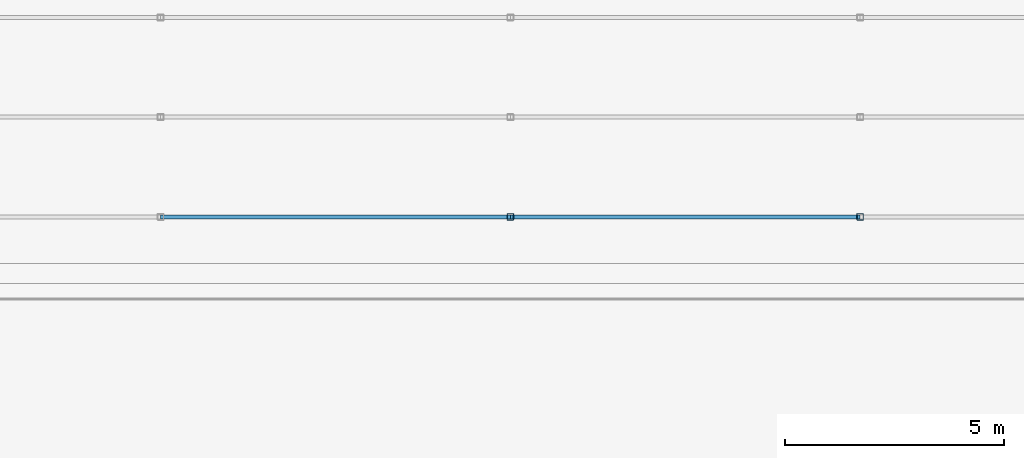
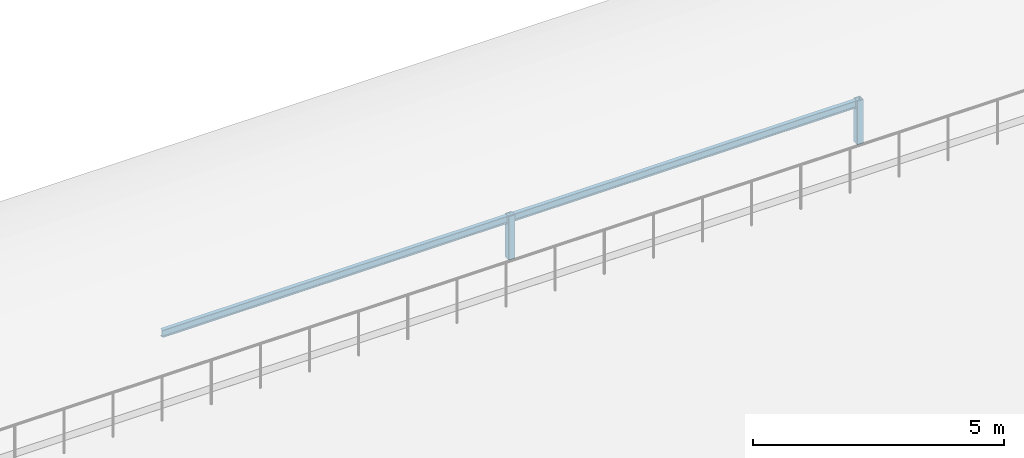
# One storey, part 12 of 46: 4 members.
"""IFC4 building model written with IfcOpenShell, lengths in metres."""

import ifcopenshell
import ifcopenshell.guid

model = None  # the IFC model being written
_history = None  # IfcOwnerHistory: only IFC2X3 demands one
_inside = {}  # id of a spatial element -> (the spatial element, [elements in it])
_under = {}  # id of a project, library or spatial element -> (it, [spatial elements below it])
_declared = {}  # id of a project -> (the project, [libraries it declares])
_typed = {}  # id of a type object -> (the type object, [elements of that type])
_made_of = {}  # id of a material, layer set ... -> (it, [elements and type objects made of it])


def new_model(schema):
    """Start an empty IFC model of exactly this schema.

    Asked for "IFC4X3", IfcOpenShell would pick the latest addendum, in which some entities
    have other attributes; the version numbers below select the first issue.
    IFC2X3 requires an IfcOwnerHistory on every rooted entity: one is made here for all.
    """
    global model, _history
    if schema == "IFC4X3":
        model = ifcopenshell.file(schema_version=(4, 3, 0, 0))
    else:
        model = ifcopenshell.file(schema=schema)
    _inside.clear()
    _under.clear()
    _declared.clear()
    _typed.clear()
    _made_of.clear()
    _history = None
    if model.schema == "IFC2X3":
        org = make("IfcOrganization", Name="unknown")
        user = make(
            "IfcPersonAndOrganization",
            ThePerson=make("IfcPerson", FamilyName="unknown"),
            TheOrganization=org,
        )
        app = make(
            "IfcApplication",
            ApplicationDeveloper=org,
            Version="unknown",
            ApplicationFullName="unknown",
            ApplicationIdentifier="unknown",
        )
        _history = make(
            "IfcOwnerHistory",
            OwningUser=user,
            OwningApplication=app,
            ChangeAction="ADDED",
            CreationDate=0,
        )
    return model


def make(cls, **values):
    """One entity of the class cls with the attributes given. An attribute that is None is left unset."""
    return model.create_entity(
        cls, **{name: value for name, value in values.items() if value is not None}
    )


def rooted(cls, **values):
    """An entity with a GlobalId (a new one), such as an element, a storey or a relation."""
    return make(cls, GlobalId=ifcopenshell.guid.new(), OwnerHistory=_history, **values)


def si_unit(unit_type, name, prefix=None):
    """IfcSIUnit, for example si_unit("LENGTHUNIT", "METRE", prefix="MILLI")."""
    return make("IfcSIUnit", UnitType=unit_type, Prefix=prefix, Name=name)


def assignment(units):
    """IfcUnitAssignment: the units of a project."""
    return None if units is None else make("IfcUnitAssignment", Units=units)


def point(xyz):
    """IfcCartesianPoint."""
    return None if xyz is None else make("IfcCartesianPoint", Coordinates=xyz)


def direction(xyz):
    """IfcDirection."""
    return None if xyz is None else make("IfcDirection", DirectionRatios=xyz)


def frame(location, z_axis=None, x_axis=None):
    """IfcAxis2Placement3D, a coordinate frame: its origin and axes. An axis left out is left unset."""
    return make(
        "IfcAxis2Placement3D",
        Location=point(location),
        Axis=direction(z_axis),
        RefDirection=direction(x_axis),
    )


def frame_2d(location, x_axis=None):
    """IfcAxis2Placement2D, a coordinate frame in the plane: its origin and x axis."""
    return make(
        "IfcAxis2Placement2D", Location=point(location), RefDirection=direction(x_axis)
    )


def origin():
    """The frame at (0, 0, 0) with its axes left unset."""
    return frame((0.0, 0.0, 0.0))


def origin_2d():
    """The frame at (0, 0) in the plane with its x axis left unset."""
    return frame_2d((0.0, 0.0))


def place(relative_to, where):
    """IfcLocalPlacement: puts the frame where relative to a parent placement (None: the world)."""
    return make(
        "IfcLocalPlacement", PlacementRelTo=relative_to, RelativePlacement=where
    )


def context(
    kind, dimensions, precision=None, world=None, true_north=None, identifier=None
):
    """IfcGeometricRepresentationContext, for example the 3D "Model" context."""
    return make(
        "IfcGeometricRepresentationContext",
        ContextIdentifier=identifier,
        ContextType=kind,
        CoordinateSpaceDimension=dimensions,
        Precision=precision,
        WorldCoordinateSystem=world,
        TrueNorth=true_north,
    )


def subcontext(parent, identifier, kind, view, scale=None):
    """IfcGeometricRepresentationSubContext, for example "Body" below "Model"."""
    return make(
        "IfcGeometricRepresentationSubContext",
        ContextIdentifier=identifier,
        ContextType=kind,
        ParentContext=parent,
        TargetScale=scale,
        TargetView=view,
    )


def project(units=None, contexts=None):
    """IfcProject with its units and contexts."""
    return rooted(
        "IfcProject",
        Name="project",
        RepresentationContexts=contexts,
        UnitsInContext=assignment(units),
    )


def spatial(cls, under=None, at=None, **own):
    """A site, building, storey or space (cls), placed at a placement, below another one or the project."""
    s = rooted(cls, ObjectPlacement=at, **own)
    if under is not None:
        _under.setdefault(under.id(), (under, []))[1].append(s)
    return s


def profile(cls, at=None, kind="AREA", **sizes):
    """A parametric profile (cls). Its sizes go by their IFC names, for example OverallWidth=200.0."""
    return make(cls, ProfileType=kind, Position=at, **sizes)


def hollow_rectangle(**sizes):
    """IfcRectangleHollowProfileDef."""
    return profile("IfcRectangleHollowProfileDef", **sizes)


def i_section(**sizes):
    """IfcIShapeProfileDef."""
    return profile("IfcIShapeProfileDef", **sizes)


def extrude(swept, where, along, depth):
    """IfcExtrudedAreaSolid: the profile swept, set in the frame where, extruded along a direction by depth."""
    return make(
        "IfcExtrudedAreaSolid",
        SweptArea=swept,
        Position=where,
        ExtrudedDirection=direction(along),
        Depth=depth,
    )


def shape(context_of_items, identifier, shape_type, items):
    """IfcShapeRepresentation: the items that make up one representation, for example the "Body"."""
    return make(
        "IfcShapeRepresentation",
        ContextOfItems=context_of_items,
        RepresentationIdentifier=identifier,
        RepresentationType=shape_type,
        Items=items,
    )


def material(Name=None, Category=None):
    """IfcMaterial."""
    return make("IfcMaterial", Name=Name, Category=Category)


def material_profile(
    of_material, cross_section, Name=None, Category=None, Priority=None
):
    """IfcMaterialProfile: a cross section and its material."""
    return make(
        "IfcMaterialProfile",
        Name=Name,
        Material=of_material,
        Profile=cross_section,
        Priority=Priority,
        Category=Category,
    )


def profile_set(profiles, Name=None, composite=None):
    """IfcMaterialProfileSet."""
    return make(
        "IfcMaterialProfileSet",
        Name=Name,
        MaterialProfiles=profiles,
        CompositeProfile=composite,
    )


def made_of(thing, what):
    """Note that an element or type object is made of a material, layer set ...; save() writes the relation."""
    if what is not None:
        _made_of.setdefault(what.id(), (what, []))[1].append(thing)
    return thing


def type_object(cls, material=None, **own):
    """A type object (cls), such as IfcWallType, which elements share."""
    return made_of(rooted(cls, **own), material)


def element(
    cls,
    number,
    at=None,
    inside=None,
    cuts=None,
    type_object=None,
    material=None,
    context=None,
    identifier="Body",
    shape_type=None,
    held_by="IfcProductDefinitionShape",
    body=None,
    shapes=None,
    **own,
):
    """One element of the class cls, such as IfcWall. Its Tag is "e" and its number.

    at: its placement. inside: the storey or other place that contains it. cuts: it is an
    opening in that element (IfcRelVoidsElement). A single representation is given by context,
    identifier, shape_type and body (its items); several are given by shapes. held_by: the class
    of the entity that holds the representations. save() writes the other relations.
    """
    e = rooted(cls, Tag="e%d" % number, ObjectPlacement=at, **own)
    if body is not None:
        shapes = [shape(context, identifier, shape_type, body)]
    if shapes is not None:
        e.Representation = make(held_by, Representations=shapes)
    if inside is not None:
        _inside.setdefault(inside.id(), (inside, []))[1].append(e)
    if cuts is not None:
        rooted(
            "IfcRelVoidsElement", RelatingBuildingElement=cuts, RelatedOpeningElement=e
        )
    if type_object is not None:
        _typed.setdefault(type_object.id(), (type_object, []))[1].append(e)
    return made_of(e, material)


def aggregate(whole, parts):
    """IfcRelAggregates: a whole, such as a stair, and the parts it consists of."""
    return rooted("IfcRelAggregates", RelatingObject=whole, RelatedObjects=parts)


def save(model, path):
    """Write the relations noted so far, then the file.

    IfcRelAggregates (storeys below a building ...), IfcRelContainedInSpatialStructure (elements
    in a storey), IfcRelDefinesByType, IfcRelAssociatesMaterial and IfcRelDeclares: one each for
    every whole, place, type object, material and project.
    """
    for whole, parts in _under.values():
        aggregate(whole, parts)
    for where, things in _inside.values():
        rooted(
            "IfcRelContainedInSpatialStructure",
            RelatedElements=things,
            RelatingStructure=where,
        )
    for kind, things in _typed.values():
        rooted("IfcRelDefinesByType", RelatedObjects=things, RelatingType=kind)
    for what, things in _made_of.values():
        rooted("IfcRelAssociatesMaterial", RelatedObjects=things, RelatingMaterial=what)
    for by, libraries in _declared.values():
        rooted("IfcRelDeclares", RelatingContext=by, RelatedDefinitions=libraries)
    model.write(path)


model = new_model("IFC4")

# Units and contexts
model_context = context("Model", 3, precision=1e-05, world=origin(), true_north=direction((0.0, 1.0)))
body_context = subcontext(model_context, "Body", "Model", "MODEL_VIEW")
ifc_project = project(units=[si_unit("LENGTHUNIT", "METRE"), si_unit("AREAUNIT", "SQUARE_METRE"), si_unit("VOLUMEUNIT", "CUBIC_METRE"), si_unit("PLANEANGLEUNIT", "RADIAN"), si_unit("MASSUNIT", "GRAM", prefix="KILO")], contexts=[model_context])

# Site, building, storey
site_placement = place(None, origin())
site = spatial("IfcSite", under=ifc_project, at=site_placement, CompositionType="ELEMENT")
building_placement = place(site_placement, origin())
building = spatial("IfcBuilding", under=site, at=building_placement, Name="Shalkamar Park Central Library", CompositionType="ELEMENT")
storey_placement = place(building_placement, frame((0.0, 0.0, 20.39990234375)))
storey = spatial("IfcBuildingStorey", under=building, at=storey_placement, Name="L05", CompositionType="ELEMENT", Elevation=20.39990234375)

# Members
ifc_material = material(Name="Steel S355", Category="steel")
ifc_material_profile_1 = material_profile(ifc_material, hollow_rectangle(XDim=0.14990234375, YDim=0.14990234375, WallThickness=0.008056640625, InnerFilletRadius=0.008056640625, OuterFilletRadius=0.011962890625, at=origin_2d()), Name="SHS 150x150x8")
ifc_profile_set_1 = profile_set([ifc_material_profile_1], Name="Steel S355")
member_type_1 = type_object("IfcMemberType", Name="Diagonal Brace SHS150", PredefinedType="BRACE", material=ifc_profile_set_1)
for number, where, z_axis, x_axis, name in (
    (1, (197.0, 309.919921875, -0.35986328125), (0.0, 0.0, 1.0), (1.0, 0.0, 0.0), "Vault Arch Post BV-L04-NN-11.1"),
    (2, (205.0, 309.919921875, -0.35986328125), (0.0, 0.0, 1.0), (1.0, 0.0, 0.0), "Vault Arch Post BV-L04-NN-12.1"),
):
    element("IfcMember", number, at=place(storey_placement, frame(where, z_axis=z_axis, x_axis=x_axis)), inside=storey, type_object=member_type_1, Name=name, PredefinedType="BRACE", context=body_context, shape_type="SweptSolid", body=[
        extrude(hollow_rectangle(XDim=0.14990234375, YDim=0.14990234375, WallThickness=0.008056640625, InnerFilletRadius=0.008056640625, OuterFilletRadius=0.011962890625, at=origin_2d()), origin(), (0.0, 0.0, 1.0), 1.055908203125),
    ])
ifc_material_profile_2 = material_profile(ifc_material, i_section(OverallWidth=0.091064453125, OverallDepth=0.179931640625, WebThickness=0.00537109375, FlangeThickness=0.008056640625, FilletRadius=0.009033203125, at=origin_2d()), Name="IPE 180")
ifc_profile_set_2 = profile_set([ifc_material_profile_2], Name="Steel S355")
member_type_2 = type_object("IfcMemberType", Name="Roof Purlin IPE180", PredefinedType="PURLIN", material=ifc_profile_set_2)
for number, where, z_axis, x_axis, name in (
    (3, (189.0, 309.919921875, 0.606201171875), (1.0, 0.0, 0.0), (0.0, 1.0, 0.0), "Barrel Roof Purlin BV-L04-NN-1.10"),
    (4, (197.0, 309.919921875, 0.606201171875), (1.0, 0.0, 0.0), (0.0, 1.0, 0.0), "Barrel Roof Purlin BV-L04-NN-1.11"),
):
    element("IfcMember", number, at=place(storey_placement, frame(where, z_axis=z_axis, x_axis=x_axis)), inside=storey, type_object=member_type_2, Name=name, PredefinedType="PURLIN", context=body_context, shape_type="SweptSolid", body=[
        extrude(i_section(OverallWidth=0.091064453125, OverallDepth=0.179931640625, WebThickness=0.00537109375, FlangeThickness=0.008056640625, FilletRadius=0.009033203125, at=origin_2d()), origin(), (0.0, 0.0, 1.0), 8.0),
    ])

save(model, "model.ifc")
